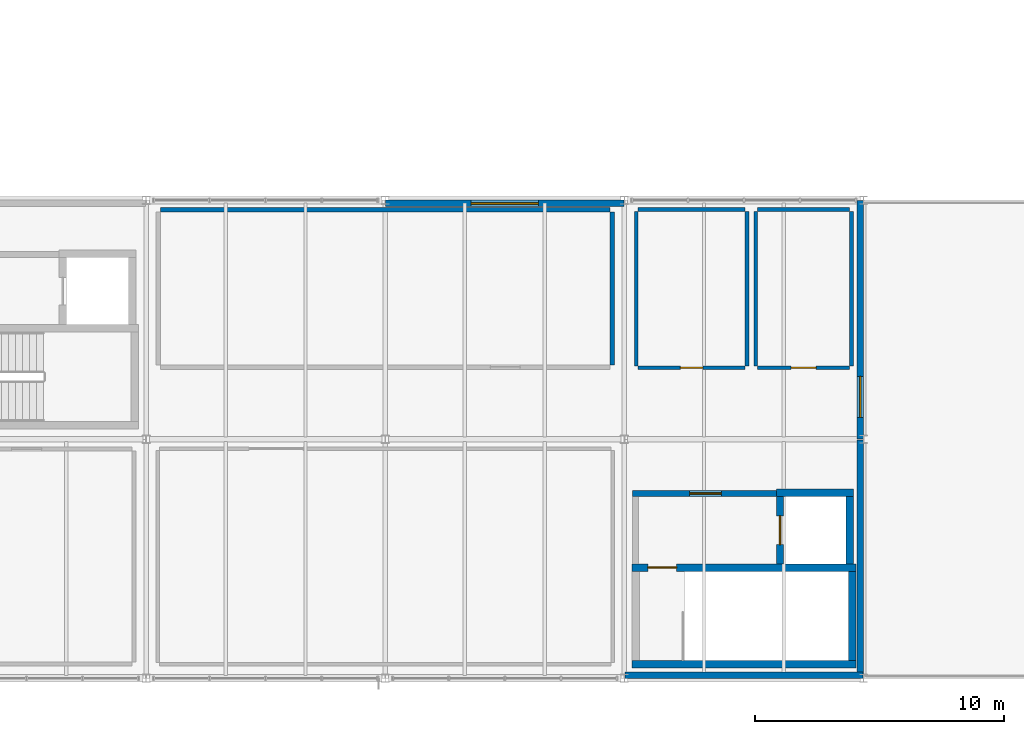
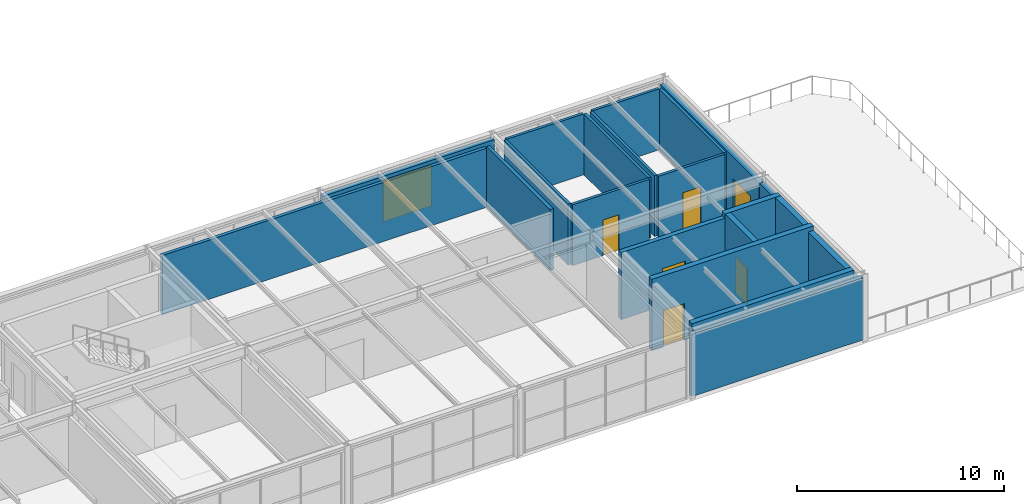
# One storey, part 45 of 50: 21 walls, 6 doors, 1 window, 7 openings.
"""IFC4 building model written with IfcOpenShell, lengths in metres."""

from ifc_helpers import new_model, si_unit, direction, frame, frame_2d, origin, place, context, subcontext, project, spatial, rectangle, extrude, material, layer, layer_set, type_object, element, fill, save


model = new_model("IFC4")

# Units and contexts
model_context = context("Model", 3, precision=1e-05, world=origin(), true_north=direction((0.0, 1.0)))
body_context = subcontext(model_context, "Body", "Model", "MODEL_VIEW")
ifc_project = project(units=[si_unit("LENGTHUNIT", "METRE"), si_unit("AREAUNIT", "SQUARE_METRE"), si_unit("VOLUMEUNIT", "CUBIC_METRE"), si_unit("PLANEANGLEUNIT", "RADIAN"), si_unit("MASSUNIT", "GRAM", prefix="KILO")], contexts=[model_context])

# Site, building, storey
site_placement = place(None, origin())
site = spatial("IfcSite", under=ifc_project, at=site_placement, CompositionType="ELEMENT")
building_placement = place(site_placement, origin())
building = spatial("IfcBuilding", under=site, at=building_placement, Name="Coralgate Yard Interchange", CompositionType="ELEMENT")
storey_placement = place(building_placement, frame((0.0, 0.0, 14.699951171875)))
storey = spatial("IfcBuildingStorey", under=building, at=storey_placement, Name="L03", CompositionType="ELEMENT", Elevation=14.699951171875)

# Wall
ifc_material_1 = material(Name="Concrete C40/50", Category="concrete")
ifc_layer_1 = layer(ifc_material_1, 0.300048828125)
ifc_layer_set_1 = layer_set([ifc_layer_1], Name="Concrete C40/50")
wall_type_1 = type_object("IfcWallType", Name="WAL-CW300", PredefinedType="SHEAR", material=ifc_layer_set_1)
wall_1_placement = place(storey_placement, frame((77.10009765625, 0.570068359375, 0.0), z_axis=(0.0, 0.0, 1.0), x_axis=(1.0, 0.0, 0.0)))
element("IfcWall", 1, at=wall_1_placement, inside=storey, type_object=wall_type_1, Name="C4 L03 stair south shear wall", PredefinedType="SHEAR", context=body_context, shape_type="SweptSolid", body=[
    extrude(rectangle(XDim=9.0, YDim=0.300048828125, at=frame_2d((4.5, 0.0))), origin(), (0.0, 0.0, 1.0), 3.949951171875),
])

# Wall, opening, door
wall_2_placement = place(storey_placement, frame((86.10009765625, 4.449951171875, 0.0), z_axis=(0.0, 0.0, 1.0), x_axis=(-1.0, 0.0, 0.0)))
wall_2 = element("IfcWall", 2, at=wall_2_placement, inside=storey, type_object=wall_type_1, Name="C4 L03 stair north shear wall", PredefinedType="SHEAR", context=body_context, shape_type="SweptSolid", body=[
    extrude(rectangle(XDim=9.0, YDim=0.300048828125, at=frame_2d((4.5, 0.0))), origin(), (0.0, 0.0, 1.0), 4.199951171875),
])
opening_1_placement = place(wall_2_placement, frame((7.199951171875, 0.0, 0.0)))
opening_1 = element("IfcOpeningElement", 3, at=opening_1_placement, cuts=wall_2, Name="Opening FD-1B", PredefinedType="OPENING", context=body_context, shape_type="SweptSolid", body=[
    extrude(rectangle(XDim=1.14990234375, YDim=2.14990234375, at=frame_2d((0.574951171875, 1.074951171875))), frame((0.0, 0.159912109375, 0.0), z_axis=(0.0, -1.0, 0.0), x_axis=(1.0, 0.0, 0.0)), (0.0, 0.0, 1.0), 0.320068359375),
])
ifc_material_2 = material(Name="Powder-coated steel fire door assembly", Category="steel")
door_type_1 = type_object("IfcDoorType", Name="DOR-FD-1B", OperationType="NOTDEFINED", PredefinedType="DOOR", material=ifc_material_2)
door_1_placement = place(opening_1_placement, frame((1.14990234375, 0.0, 0.0), z_axis=(0.0, 0.0, 1.0), x_axis=(-1.0, 0.0, 0.0)))
door_1 = element("IfcDoor", 4, at=door_1_placement, inside=storey, type_object=door_type_1, Name="C4 L03 stair fire door", OperationType="SINGLE_SWING_LEFT", OverallHeight=2.14990234375, OverallWidth=1.14990234375, PredefinedType="DOOR", context=body_context, shape_type="SweptSolid", body=[
    extrude(rectangle(XDim=1.14990234375, YDim=2.14990234375, at=frame_2d((0.574951171875, 1.074951171875))), frame((0.0, 0.02490234375, 0.0), z_axis=(0.0, -1.0, 0.0), x_axis=(1.0, 0.0, 0.0)), (0.0, 0.0, 1.0), 0.050048828125),
])
fill(opening_1, door_1)

# Wall
wall_3_placement = place(storey_placement, frame((85.949951171875, 4.300048828125, 0.0), z_axis=(0.0, 0.0, 1.0), x_axis=(0.0, -1.0, 0.0)))
element("IfcWall", 5, at=wall_3_placement, inside=storey, type_object=wall_type_1, Name="C4 L03 stair east shear wall", PredefinedType="SHEAR", context=body_context, shape_type="SweptSolid", body=[
    extrude(rectangle(XDim=3.580078125, YDim=0.300048828125, at=frame_2d((1.7900390625, 0.0))), origin(), (0.0, 0.0, 1.0), 3.949951171875),
])

# Wall, opening, door
wall_4_placement = place(storey_placement, frame((83.050048828125, 7.300048828125, 0.0), z_axis=(0.0, 0.0, 1.0), x_axis=(0.0, -1.0, 0.0)))
wall_4 = element("IfcWall", 6, at=wall_4_placement, inside=storey, type_object=wall_type_1, Name="C4 L03 lift front shear wall", PredefinedType="SHEAR", context=body_context, shape_type="SweptSolid", body=[
    extrude(rectangle(XDim=2.699951171875, YDim=0.300048828125, at=frame_2d((1.35009765625, 0.0))), origin(), (0.0, 0.0, 1.0), 4.199951171875),
])
opening_2_placement = place(wall_4_placement, frame((0.77490234375, 0.0, 0.0)))
opening_2 = element("IfcOpeningElement", 7, at=opening_2_placement, cuts=wall_4, Name="Opening LD-2", PredefinedType="OPENING", context=body_context, shape_type="SweptSolid", body=[
    extrude(rectangle(XDim=1.14990234375, YDim=2.10009765625, at=frame_2d((0.574951171875, 1.050048828125))), frame((0.0, 0.159912109375, 0.0), z_axis=(0.0, -1.0, 0.0), x_axis=(1.0, 0.0, 0.0)), (0.0, 0.0, 1.0), 0.320068359375),
])
ifc_material_3 = material(Name="Brushed stainless steel passenger lift landing door", Category="steel")
door_type_2 = type_object("IfcDoorType", Name="DOR-LD-2", OperationType="DOUBLE_DOOR_SLIDING", PredefinedType="DOOR", material=ifc_material_3)
door_2_placement = place(opening_2_placement, frame((1.14990234375, 0.0, 0.0), z_axis=(0.0, 0.0, 1.0), x_axis=(-1.0, 0.0, 0.0)))
door_2 = element("IfcDoor", 8, at=door_2_placement, inside=storey, type_object=door_type_2, Name="LF-02 L03 sliding lift landing door", OperationType="DOUBLE_DOOR_SLIDING", OverallHeight=2.10009765625, OverallWidth=1.14990234375, PredefinedType="DOOR", context=body_context, shape_type="SweptSolid", body=[
    extrude(rectangle(XDim=1.14990234375, YDim=2.10009765625, at=frame_2d((0.574951171875, 1.050048828125))), frame((0.0, 0.02490234375, 0.0), z_axis=(0.0, -1.0, 0.0), x_axis=(1.0, 0.0, 0.0)), (0.0, 0.0, 1.0), 0.050048828125),
])
fill(opening_2, door_2)

# Walls
wall_5_placement = place(storey_placement, frame((85.85009765625, 4.60009765625, 0.0), z_axis=(0.0, 0.0, 1.0), x_axis=(0.0, 1.0, 0.0)))
element("IfcWall", 9, at=wall_5_placement, inside=storey, type_object=wall_type_1, Name="C4 L03 lift rear shear wall", PredefinedType="SHEAR", context=body_context, shape_type="SweptSolid", body=[
    extrude(rectangle(XDim=2.699951171875, YDim=0.300048828125, at=frame_2d((1.35009765625, 0.0))), origin(), (0.0, 0.0, 1.0), 4.199951171875),
])
wall_6_placement = place(storey_placement, frame((82.89990234375, 7.449951171875, 0.0), z_axis=(0.0, 0.0, 1.0), x_axis=(1.0, 0.0, 0.0)))
element("IfcWall", 10, at=wall_6_placement, inside=storey, type_object=wall_type_1, Name="C4 L03 lift north shear wall", PredefinedType="SHEAR", context=body_context, shape_type="SweptSolid", body=[
    extrude(rectangle(XDim=3.10009765625, YDim=0.300048828125, at=frame_2d((1.550048828125, 0.0))), origin(), (0.0, 0.0, 1.0), 4.199951171875),
])

# Wall, opening, window
ifc_material_4 = material(Name="Precast concrete C40/50", Category="concrete")
ifc_layer_2 = layer(ifc_material_4, 0.260009765625)
ifc_layer_set_2 = layer_set([ifc_layer_2], Name="Precast concrete C40/50")
wall_type_2 = type_object("IfcWallType", Name="WAL-EW-260", PredefinedType="SOLIDWALL", material=ifc_layer_set_2)
wall_7_placement = place(storey_placement, frame((67.219970703125, 19.070068359375, 0.0), z_axis=(0.0, 0.0, 1.0), x_axis=(1.0, 0.0, 0.0)))
wall_7 = element("IfcWall", 11, at=wall_7_placement, inside=storey, type_object=wall_type_2, Name="L03 exterior coastal wall N 7-1", PredefinedType="SOLIDWALL", context=body_context, shape_type="SweptSolid", body=[
    extrude(rectangle(XDim=9.56005859375, YDim=0.260009765625, at=frame_2d((4.780029296875, 0.0))), origin(), (0.0, 0.0, 1.0), 3.66015625),
])
opening_3_placement = place(wall_7_placement, frame((3.429931640625, 0.0, 0.89990234375)))
opening_3 = element("IfcOpeningElement", 12, at=opening_3_placement, cuts=wall_7, Name="Opening W-14", PredefinedType="OPENING", context=body_context, shape_type="SweptSolid", body=[
    extrude(rectangle(XDim=2.699951171875, YDim=2.39990234375, at=frame_2d((1.35009765625, 1.199951171875))), frame((0.0, 0.139892578125, 0.0), z_axis=(0.0, -1.0, 0.0), x_axis=(1.0, 0.0, 0.0)), (0.0, 0.0, 1.0), 0.280029296875),
])
ifc_material_5 = material(Name="Thermally broken anodised aluminium and solar-control low-E glass", Category="aluminium")
window_type = type_object("IfcWindowType", Name="WIN-W-14", PartitioningType="SINGLE_PANEL", PredefinedType="WINDOW", material=ifc_material_5)
window_placement = place(opening_3_placement, origin())
window = element("IfcWindow", 13, at=window_placement, inside=storey, type_object=window_type, Name="L03 coastal facade window N-7-1", OverallHeight=2.39990234375, OverallWidth=2.699951171875, PartitioningType="SINGLE_PANEL", PredefinedType="WINDOW", context=body_context, shape_type="SweptSolid", body=[
    extrude(rectangle(XDim=2.699951171875, YDim=2.39990234375, at=frame_2d((1.35009765625, 1.199951171875))), frame((0.0, 0.030029296875, 0.0), z_axis=(0.0, -1.0, 0.0), x_axis=(1.0, 0.0, 0.0)), (0.0, 0.0, 1.0), 0.06005859375),
])
fill(opening_3, window)

# Walls
wall_8_placement = place(storey_placement, frame((86.3798828125, 0.1298828125, 0.0), z_axis=(0.0, 0.0, 1.0), x_axis=(-1.0, 0.0, 0.0)))
element("IfcWall", 14, at=wall_8_placement, inside=storey, type_object=wall_type_2, Name="L03 exterior coastal wall S 8-0", PredefinedType="SOLIDWALL", context=body_context, shape_type="SweptSolid", body=[
    extrude(rectangle(XDim=9.559814453125, YDim=0.260009765625, at=frame_2d((4.77978515625, 0.0))), origin(), (0.0, 0.0, 1.0), 3.66015625),
])
wall_9_placement = place(storey_placement, frame((86.27001953125, 9.580078125, 0.0), z_axis=(0.0, 0.0, 1.0), x_axis=(0.0, -1.0, 0.0)))
element("IfcWall", 15, at=wall_9_placement, inside=storey, type_object=wall_type_2, Name="L03 exterior coastal wall E 8-0", PredefinedType="SOLIDWALL", context=body_context, shape_type="SweptSolid", body=[
    extrude(rectangle(XDim=9.56005859375, YDim=0.260009765625, at=frame_2d((4.780029296875, 0.0))), origin(), (0.0, 0.0, 1.0), 3.4931640625),
])

# Wall, opening, door
wall_10_placement = place(storey_placement, frame((86.27001953125, 19.179931640625, 0.0), z_axis=(0.0, 0.0, 1.0), x_axis=(0.0, -1.0, 0.0)))
wall_10 = element("IfcWall", 16, at=wall_10_placement, inside=storey, type_object=wall_type_2, Name="L03 exterior coastal wall E 8-1", PredefinedType="SOLIDWALL", context=body_context, shape_type="SweptSolid", body=[
    extrude(rectangle(XDim=9.559814453125, YDim=0.260009765625, at=frame_2d((4.77978515625, 0.0))), origin(), (0.0, 0.0, 1.0), 3.4931640625),
])
opening_4_placement = place(wall_10_placement, frame((7.050048828125, 0.0, 0.0)))
opening_4 = element("IfcOpeningElement", 17, at=opening_4_placement, cuts=wall_10, Name="Opening VD-3", PredefinedType="OPENING", context=body_context, shape_type="SweptSolid", body=[
    extrude(rectangle(XDim=1.64990234375, YDim=2.199951171875, at=frame_2d((0.824951171875, 1.10009765625))), frame((0.0, 0.139892578125, 0.0), z_axis=(0.0, -1.0, 0.0), x_axis=(1.0, 0.0, 0.0)), (0.0, 0.0, 1.0), 0.280029296875),
])
ifc_material_6 = material(Name="Thermally broken aluminium canteen veranda double door", Category="aluminium")
door_type_3 = type_object("IfcDoorType", Name="DOR-VD-3", OperationType="NOTDEFINED", PredefinedType="DOOR", material=ifc_material_6)
door_3_placement = place(opening_4_placement, origin())
door_3 = element("IfcDoor", 18, at=door_3_placement, inside=storey, type_object=door_type_3, Name="L03 coastal veranda double door 8-1", OperationType="DOUBLE_DOOR_SINGLE_SWING", OverallHeight=2.199951171875, OverallWidth=1.64990234375, PredefinedType="DOOR", context=body_context, shape_type="SweptSolid", body=[
    extrude(rectangle(XDim=1.64990234375, YDim=2.199951171875, at=frame_2d((0.824951171875, 1.10009765625))), frame((0.0, 0.02490234375, 0.0), z_axis=(0.0, -1.0, 0.0), x_axis=(1.0, 0.0, 0.0)), (0.0, 0.0, 1.0), 0.050048828125),
])
fill(opening_4, door_3)

ifc_material_7 = material(Name="Moisture-resistant masonry washroom wall", Category="masonry")
ifc_layer_3 = layer(ifc_material_7, 0.14990234375)
ifc_layer_set_3 = layer_set([ifc_layer_3], Name="Moisture-resistant masonry washroom wall")
wall_type_3 = type_object("IfcWallType", Name="WAL-PW-150", PredefinedType="PLUMBINGWALL", material=ifc_layer_set_3)
wall_11_placement = place(storey_placement, frame((81.64990234375, 12.47509765625, 0.0), z_axis=(0.0, 0.0, 1.0), x_axis=(-1.0, 0.0, 0.0)))
wall_11 = element("IfcWall", 19, at=wall_11_placement, inside=storey, type_object=wall_type_3, Name="L03 Crew Washrooms and Showers partition S", PredefinedType="PLUMBINGWALL", context=body_context, shape_type="SweptSolid", body=[
    extrude(rectangle(XDim=4.2998046875, YDim=0.14990234375, at=frame_2d((2.14990234375, 0.0))), origin(), (0.0, 0.0, 1.0), 3.590087890625),
])
opening_5_placement = place(wall_11_placement, frame((1.699951171875, 0.0, 0.0)))
opening_5 = element("IfcOpeningElement", 20, at=opening_5_placement, cuts=wall_11, Name="Opening ID-10", PredefinedType="OPENING", context=body_context, shape_type="SweptSolid", body=[
    extrude(rectangle(XDim=0.89990234375, YDim=2.10009765625, at=frame_2d((0.449951171875, 1.050048828125))), frame((0.0, 0.0849609375, 0.0), z_axis=(0.0, -1.0, 0.0), x_axis=(1.0, 0.0, 0.0)), (0.0, 0.0, 1.0), 0.169921875),
])
ifc_material_8 = material(Name="Moisture-resistant laminate washroom door")
door_type_4 = type_object("IfcDoorType", Name="DOR-ID-10", OperationType="NOTDEFINED", PredefinedType="DOOR", material=ifc_material_8)
door_4_placement = place(opening_5_placement, frame((0.89990234375, 0.0, 0.0), z_axis=(0.0, 0.0, 1.0), x_axis=(-1.0, 0.0, 0.0)))
door_4 = element("IfcDoor", 21, at=door_4_placement, inside=storey, type_object=door_type_4, Name="L03 Crew Washrooms and Showers door", OperationType="SINGLE_SWING_RIGHT", OverallHeight=2.10009765625, OverallWidth=0.89990234375, PredefinedType="DOOR", context=body_context, shape_type="SweptSolid", body=[
    extrude(rectangle(XDim=0.89990234375, YDim=2.10009765625, at=frame_2d((0.449951171875, 1.050048828125))), frame((0.0, 0.02490234375, 0.0), z_axis=(0.0, -1.0, 0.0), x_axis=(1.0, 0.0, 0.0)), (0.0, 0.0, 1.0), 0.050048828125),
])
fill(opening_5, door_4)

# Walls
wall_12_placement = place(storey_placement, frame((77.35009765625, 18.824951171875, 0.0), z_axis=(0.0, 0.0, 1.0), x_axis=(1.0, 0.0, 0.0)))
element("IfcWall", 22, at=wall_12_placement, inside=storey, type_object=wall_type_3, Name="L03 Crew Washrooms and Showers partition N", PredefinedType="PLUMBINGWALL", context=body_context, shape_type="SweptSolid", body=[
    extrude(rectangle(XDim=4.2998046875, YDim=0.14990234375, at=frame_2d((2.14990234375, 0.0))), origin(), (0.0, 0.0, 1.0), 3.590087890625),
])
for number, where, z_axis, x_axis, name in (
    (23, (77.27490234375, 12.550048828125, 0.0), (0.0, 0.0, 1.0), (0.0, 1.0, 0.0), "L03 Crew Washrooms and Showers partition W"),
    (24, (81.72509765625, 18.75, 0.0), (0.0, 0.0, 1.0), (0.0, -1.0, 0.0), "L03 Crew Washrooms and Showers partition E"),
):
    element("IfcWall", number, at=place(storey_placement, frame(where, z_axis=z_axis, x_axis=x_axis)), inside=storey, type_object=wall_type_3, Name=name, PredefinedType="PLUMBINGWALL", context=body_context, shape_type="SweptSolid", body=[
        extrude(rectangle(XDim=6.199951171875, YDim=0.14990234375, at=frame_2d((3.10009765625, 0.0))), origin(), (0.0, 0.0, 1.0), 3.590087890625),
    ])

# Wall, opening, door
wall_13_placement = place(storey_placement, frame((85.85009765625, 12.47509765625, 0.0), z_axis=(0.0, 0.0, 1.0), x_axis=(-1.0, 0.0, 0.0)))
wall_13 = element("IfcWall", 25, at=wall_13_placement, inside=storey, type_object=wall_type_3, Name="L03 Accessible WC partition S", PredefinedType="PLUMBINGWALL", context=body_context, shape_type="SweptSolid", body=[
    extrude(rectangle(XDim=3.7001953125, YDim=0.14990234375, at=frame_2d((1.85009765625, 0.0))), origin(), (0.0, 0.0, 1.0), 3.590087890625),
])
opening_6_placement = place(wall_13_placement, frame((1.35009765625, 0.0, 0.0)))
opening_6 = element("IfcOpeningElement", 26, at=opening_6_placement, cuts=wall_13, Name="Opening ID-02", PredefinedType="OPENING", context=body_context, shape_type="SweptSolid", body=[
    extrude(rectangle(XDim=1.0, YDim=2.14990234375, at=frame_2d((0.5, 1.074951171875))), frame((0.0, 0.0849609375, 0.0), z_axis=(0.0, -1.0, 0.0), x_axis=(1.0, 0.0, 0.0)), (0.0, 0.0, 1.0), 0.169921875),
])
ifc_material_9 = material(Name="Accessible wide-leaf washroom and office door")
door_type_5 = type_object("IfcDoorType", Name="DOR-ID-02", OperationType="NOTDEFINED", PredefinedType="DOOR", material=ifc_material_9)
door_5_placement = place(opening_6_placement, frame((1.0, 0.0, 0.0), z_axis=(0.0, 0.0, 1.0), x_axis=(-1.0, 0.0, 0.0)))
door_5 = element("IfcDoor", 27, at=door_5_placement, inside=storey, type_object=door_type_5, Name="L03 Accessible WC door", OperationType="SINGLE_SWING_LEFT", OverallHeight=2.14990234375, OverallWidth=1.0, PredefinedType="DOOR", context=body_context, shape_type="SweptSolid", body=[
    extrude(rectangle(XDim=1.0, YDim=2.14990234375, at=frame_2d((0.5, 1.074951171875))), frame((0.0, 0.02490234375, 0.0), z_axis=(0.0, -1.0, 0.0), x_axis=(1.0, 0.0, 0.0)), (0.0, 0.0, 1.0), 0.050048828125),
])
fill(opening_6, door_5)

# Walls
wall_14_placement = place(storey_placement, frame((82.14990234375, 18.824951171875, 0.0), z_axis=(0.0, 0.0, 1.0), x_axis=(1.0, 0.0, 0.0)))
element("IfcWall", 28, at=wall_14_placement, inside=storey, type_object=wall_type_3, Name="L03 Accessible WC partition N", PredefinedType="PLUMBINGWALL", context=body_context, shape_type="SweptSolid", body=[
    extrude(rectangle(XDim=3.7001953125, YDim=0.14990234375, at=frame_2d((1.85009765625, 0.0))), origin(), (0.0, 0.0, 1.0), 3.590087890625),
])
for number, where, z_axis, x_axis, name in (
    (29, (82.074951171875, 12.550048828125, 0.0), (0.0, 0.0, 1.0), (0.0, 1.0, 0.0), "L03 Accessible WC partition W"),
    (30, (85.925048828125, 18.75, 0.0), (0.0, 0.0, 1.0), (0.0, -1.0, 0.0), "L03 Accessible WC partition E"),
):
    element("IfcWall", number, at=place(storey_placement, frame(where, z_axis=z_axis, x_axis=x_axis)), inside=storey, type_object=wall_type_3, Name=name, PredefinedType="PLUMBINGWALL", context=body_context, shape_type="SweptSolid", body=[
        extrude(rectangle(XDim=6.199951171875, YDim=0.14990234375, at=frame_2d((3.10009765625, 0.0))), origin(), (0.0, 0.0, 1.0), 3.590087890625),
    ])
ifc_material_10 = material(Name="Acoustic concrete blockwork", Category="masonry")
ifc_layer_4 = layer(ifc_material_10, 0.179931640625)
ifc_layer_set_4 = layer_set([ifc_layer_4], Name="Acoustic concrete blockwork")
wall_type_4 = type_object("IfcWallType", Name="WAL-PW-180", PredefinedType="PARTITIONING", material=ifc_layer_set_4)
wall_15_placement = place(storey_placement, frame((58.179931640625, 18.81005859375, 0.0), z_axis=(0.0, 0.0, 1.0), x_axis=(1.0, 0.0, 0.0)))
element("IfcWall", 31, at=wall_15_placement, inside=storey, type_object=wall_type_4, Name="Canteen Preparation Kitchen and Cold Store partition N", PredefinedType="PARTITIONING", context=body_context, shape_type="SweptSolid", body=[
    extrude(rectangle(XDim=18.0400390625, YDim=0.179931640625, at=frame_2d((9.02001953125, 0.0))), origin(), (0.0, 0.0, 1.0), 3.483154296875),
])
wall_16_placement = place(storey_placement, frame((76.31005859375, 18.719970703125, 0.0), z_axis=(0.0, 0.0, 1.0), x_axis=(0.0, -1.0, 0.0)))
element("IfcWall", 32, at=wall_16_placement, inside=storey, type_object=wall_type_4, Name="Canteen Preparation Kitchen and Cold Store partition E", PredefinedType="PARTITIONING", context=body_context, shape_type="SweptSolid", body=[
    extrude(rectangle(XDim=6.139892578125, YDim=0.179931640625, at=frame_2d((3.06982421875, 0.0))), origin(), (0.0, 0.0, 1.0), 3.590087890625),
])

# Wall, opening, door
ifc_layer_5 = layer(ifc_material_1, 0.25)
ifc_layer_set_5 = layer_set([ifc_layer_5], Name="Concrete C40/50")
wall_type_5 = type_object("IfcWallType", Name="WAL-SW250", PredefinedType="SHEAR", material=ifc_layer_set_5)
wall_17_placement = place(storey_placement, frame((82.89990234375, 7.425048828125, 0.0), z_axis=(0.0, 0.0, 1.0), x_axis=(-1.0, 0.0, 0.0)))
wall_17 = element("IfcWall", 33, at=wall_17_placement, inside=storey, type_object=wall_type_5, Name="C4 L03 lobby north fire wall", PredefinedType="SHEAR", context=body_context, shape_type="SweptSolid", body=[
    extrude(rectangle(XDim=5.77490234375, YDim=0.25, at=frame_2d((2.887451171875, 0.0))), origin(), (0.0, 0.0, 1.0), 3.949951171875),
])
opening_7_placement = place(wall_17_placement, frame((2.199951171875, 0.0, 0.0)))
opening_7 = element("IfcOpeningElement", 34, at=opening_7_placement, cuts=wall_17, Name="Opening FD-2B", PredefinedType="OPENING", context=body_context, shape_type="SweptSolid", body=[
    extrude(rectangle(XDim=1.280029296875, YDim=2.199951171875, at=frame_2d((0.64013671875, 1.10009765625))), frame((0.0, 0.135009765625, 0.0), z_axis=(0.0, -1.0, 0.0), x_axis=(1.0, 0.0, 0.0)), (0.0, 0.0, 1.0), 0.27001953125),
])
door_type_6 = type_object("IfcDoorType", Name="DOR-FD-2B", OperationType="NOTDEFINED", PredefinedType="DOOR", material=ifc_material_2)
door_6_placement = place(opening_7_placement, origin())
door_6 = element("IfcDoor", 35, at=door_6_placement, inside=storey, type_object=door_type_6, Name="C4 L03 lobby fire door", OperationType="SINGLE_SWING_RIGHT", OverallHeight=2.199951171875, OverallWidth=1.280029296875, PredefinedType="DOOR", context=body_context, shape_type="SweptSolid", body=[
    extrude(rectangle(XDim=1.280029296875, YDim=2.199951171875, at=frame_2d((0.64013671875, 1.10009765625))), frame((0.0, 0.02490234375, 0.0), z_axis=(0.0, -1.0, 0.0), x_axis=(1.0, 0.0, 0.0)), (0.0, 0.0, 1.0), 0.050048828125),
])
fill(opening_7, door_6)

save(model, "model.ifc")
